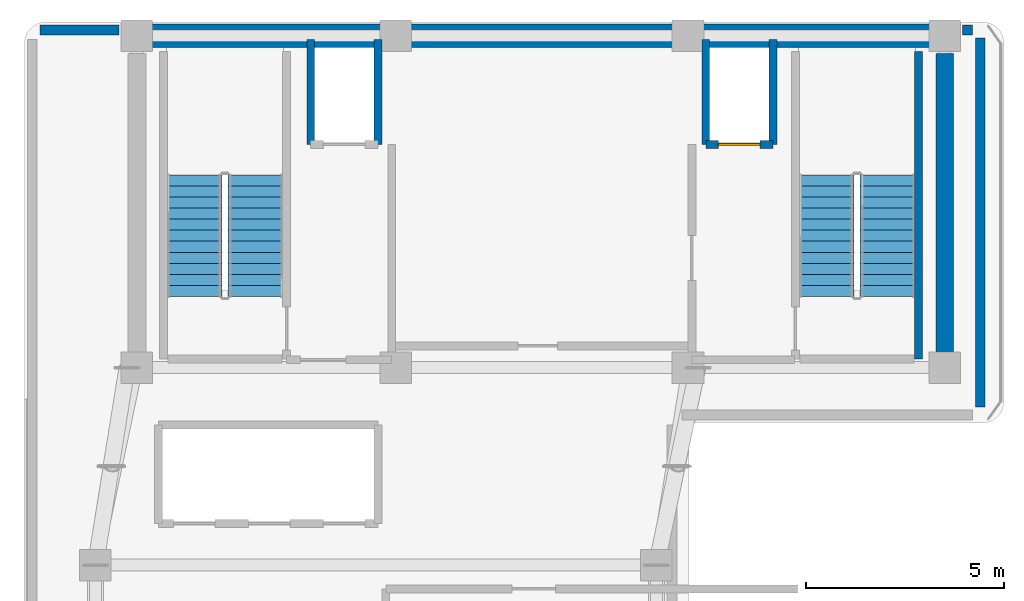
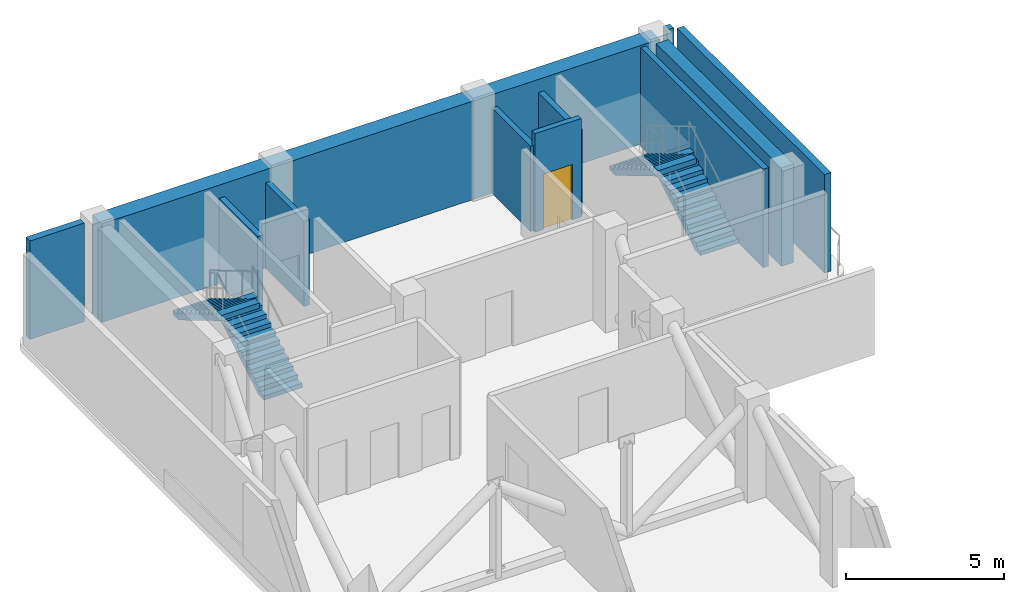
# One storey, part 3 of 5: 11 walls, 4 stair flights, 1 door, 1 opening, 2 elements without a shape of their own.
"""IFC4 building model written with IfcOpenShell, lengths in metres."""

from ifc_helpers import new_model, si_unit, direction, frame, frame_2d, origin, place, context, subcontext, project, spatial, polyline, rectangle, outline, extrude, material, layer, layer_set, type_object, element, fill, aggregate, save


model = new_model("IFC4")

# Units and contexts
model_context = context("Model", 3, precision=1e-05, world=origin(), true_north=direction((0.0, 1.0)))
body_context = subcontext(model_context, "Body", "Model", "MODEL_VIEW")
ifc_project = project(units=[si_unit("LENGTHUNIT", "METRE"), si_unit("AREAUNIT", "SQUARE_METRE"), si_unit("VOLUMEUNIT", "CUBIC_METRE"), si_unit("PLANEANGLEUNIT", "RADIAN"), si_unit("MASSUNIT", "GRAM", prefix="KILO")], contexts=[model_context])

# Site, building, storey
site_placement = place(None, origin())
site = spatial("IfcSite", under=ifc_project, at=site_placement, CompositionType="ELEMENT")
building_placement = place(site_placement, origin())
building = spatial("IfcBuilding", under=site, at=building_placement, Name="Kuzgunbayir Cultural Tower", CompositionType="ELEMENT")
storey_placement = place(building_placement, frame((0.0, 0.0, 214.39990234375)))
storey = spatial("IfcBuildingStorey", under=building, at=storey_placement, Name="L63", CompositionType="ELEMENT", Elevation=214.39990234375)

# Walls
ifc_material_1 = material(Name="Concrete C50/60", Category="concrete")
ifc_layer_1 = layer(ifc_material_1, 0.449951171875)
ifc_layer_set_1 = layer_set([ifc_layer_1], Name="Concrete C50/60")
wall_type_1 = type_object("IfcWallType", Name="WAL-CORE-450", PredefinedType="SHEAR", material=ifc_layer_set_1)
wall_1_placement = place(storey_placement, frame((26.89990234375, 33.800048828125, 0.0), z_axis=(0.0, 0.0, 1.0), x_axis=(0.0, 1.0, 0.0)))
element("IfcWall", 1, at=wall_1_placement, inside=storey, type_object=wall_type_1, Name="L63 T1 Core East Shear Wall", PredefinedType="SHEAR", context=body_context, shape_type="SweptSolid", body=[
    extrude(rectangle(XDim=7.949951171875, YDim=0.449951171875, at=frame_2d((3.97509765625, 0.0))), origin(), (0.0, 0.0, 1.0), 3.820068359375),
])
ifc_material_2 = material(Name="Concrete C60/75", Category="concrete")
ifc_layer_2 = layer(ifc_material_2, 0.60009765625)
ifc_layer_set_2 = layer_set([ifc_layer_2], Name="Concrete C60/75")
wall_type_2 = type_object("IfcWallType", Name="WAL-CORE-600", PredefinedType="SHEAR", material=ifc_layer_set_2)
wall_2_placement = place(storey_placement, frame((6.449951171875, 42.199951171875, 0.0), z_axis=(0.0, 0.0, 1.0), x_axis=(1.0, 0.0, 0.0)))
element("IfcWall", 2, at=wall_2_placement, inside=storey, type_object=wall_type_2, Name="L63 T1 Core North Shear Wall", PredefinedType="SHEAR", context=body_context, shape_type="SweptSolid", body=[
    extrude(rectangle(XDim=20.449951171875, YDim=0.60009765625, at=frame_2d((10.22509765625, 0.0))), origin(), (0.0, 0.0, 1.0), 3.820068359375),
])
ifc_material_3 = material(Name="Concrete C40/50", Category="concrete")
ifc_layer_3 = layer(ifc_material_3, 0.25)
ifc_layer_set_3 = layer_set([ifc_layer_3], Name="Concrete C40/50")
wall_type_3 = type_object("IfcWallType", Name="WAL-EXT-PLANT-250", PredefinedType="STANDARD", material=ifc_layer_set_3)
wall_3_placement = place(storey_placement, frame((27.60009765625, 42.35009765625, 0.0), z_axis=(0.0, 0.0, 1.0), x_axis=(-1.0, 0.0, 0.0)))
element("IfcWall", 3, at=wall_3_placement, inside=storey, type_object=wall_type_3, Name="L63 North Wing B Limestone Wall", PredefinedType="STANDARD", context=body_context, shape_type="SweptSolid", body=[
    extrude(rectangle(XDim=0.25, YDim=0.25, at=frame_2d((0.125, 0.0))), origin(), (0.0, 0.0, 1.0), 3.820068359375),
])
wall_4_placement = place(storey_placement, frame((6.0, 42.35009765625, 0.0), z_axis=(0.0, 0.0, 1.0), x_axis=(-1.0, 0.0, 0.0)))
element("IfcWall", 4, at=wall_4_placement, inside=storey, type_object=wall_type_3, Name="L63 Core North-West Spandrel Link", PredefinedType="STANDARD", context=body_context, shape_type="SweptSolid", body=[
    extrude(rectangle(XDim=2.0, YDim=0.25, at=frame_2d((1.0, 0.0))), origin(), (0.0, 0.0, 1.0), 3.820068359375),
])
wall_5_placement = place(storey_placement, frame((27.800048828125, 32.800048828125, 0.0), z_axis=(0.0, 0.0, 1.0), x_axis=(0.0, 1.0, 0.0)))
element("IfcWall", 5, at=wall_5_placement, inside=storey, type_object=wall_type_3, Name="L63 Rear Core East Limestone Wall", PredefinedType="STANDARD", context=body_context, shape_type="SweptSolid", body=[
    extrude(rectangle(XDim=9.349853515625, YDim=0.25, at=frame_2d((4.6748046875, 0.0))), origin(), (0.0, 0.0, 1.0), 3.820068359375),
])

# Wall, opening, door
ifc_layer_4 = layer(ifc_material_3, 0.199951171875)
ifc_layer_set_4 = layer_set([ifc_layer_4], Name="Concrete C40/50")
wall_type_4 = type_object("IfcWallType", Name="WAL-SHAFT-200", PredefinedType="MOVABLE", material=ifc_layer_set_4)
wall_6_placement = place(storey_placement, frame((20.85009765625, 39.449951171875, 0.0), z_axis=(0.0, 0.0, 1.0), x_axis=(1.0, 0.0, 0.0)))
wall_6 = element("IfcWall", 6, at=wall_6_placement, inside=storey, type_object=wall_type_4, Name="L63 FFL-2 Lift Front Wall", PredefinedType="MOVABLE", context=body_context, shape_type="SweptSolid", body=[
    extrude(rectangle(XDim=1.699951171875, YDim=0.199951171875, at=frame_2d((0.85009765625, 0.0))), origin(), (0.0, 0.0, 1.0), 3.820068359375),
])
opening_placement = place(wall_6_placement, frame((0.320068359375, 0.0, 0.0)))
opening = element("IfcOpeningElement", 7, at=opening_placement, cuts=wall_6, Name="Opening LD", PredefinedType="OPENING", context=body_context, shape_type="SweptSolid", body=[
    extrude(rectangle(XDim=1.050048828125, YDim=2.14990234375, at=frame_2d((0.52490234375, 1.074951171875))), frame((0.0, 0.10986328125, 0.0), z_axis=(0.0, -1.0, 0.0), x_axis=(1.0, 0.0, 0.0)), (0.0, 0.0, 1.0), 0.219970703125),
])
ifc_material_4 = material(Name="Brushed Stainless Steel", Category="steel")
door_type = type_object("IfcDoorType", Name="DR-LIFT-LANDING", OperationType="SLIDING_TO_LEFT", PredefinedType="DOOR", material=ifc_material_4)
door_placement = place(opening_placement, origin())
door = element("IfcDoor", 8, at=door_placement, inside=storey, type_object=door_type, Name="L63 Lift FFL-2 Landing Door", OperationType="SLIDING_TO_LEFT", OverallHeight=2.14990234375, OverallWidth=1.050048828125, PredefinedType="DOOR", context=body_context, shape_type="SweptSolid", body=[
    extrude(rectangle(XDim=1.050048828125, YDim=2.14990234375, at=frame_2d((0.52490234375, 1.074951171875))), frame((0.0, 0.02490234375, 0.0), z_axis=(0.0, -1.0, 0.0), x_axis=(1.0, 0.0, 0.0)), (0.0, 0.0, 1.0), 0.050048828125),
])
fill(opening, door)

# Walls
for number, where, z_axis, x_axis, name in (
    (9, (10.85009765625, 39.449951171875, 0.0), (0.0, 0.0, 1.0), (0.0, 1.0, 0.0), "L63 FFL-1 Shaft West Wall"),
    (10, (12.550048828125, 39.449951171875, 0.0), (0.0, 0.0, 1.0), (0.0, 1.0, 0.0), "L63 FFL-1 Shaft East Wall"),
    (11, (20.85009765625, 39.449951171875, 0.0), (0.0, 0.0, 1.0), (0.0, 1.0, 0.0), "L63 FFL-2 Shaft West Wall"),
    (12, (22.550048828125, 39.449951171875, 0.0), (0.0, 0.0, 1.0), (0.0, 1.0, 0.0), "L63 FFL-2 Shaft East Wall"),
):
    element("IfcWall", number, at=place(storey_placement, frame(where, z_axis=z_axis, x_axis=x_axis)), inside=storey, type_object=wall_type_4, Name=name, PredefinedType="MOVABLE", context=body_context, shape_type="SweptSolid", body=[
        extrude(rectangle(XDim=2.650146484375, YDim=0.199951171875, at=frame_2d((1.3251953125, 0.0))), origin(), (0.0, 0.0, 1.0), 3.31005859375),
    ])
ifc_layer_5 = layer(ifc_material_3, 0.199951171875)
ifc_layer_set_5 = layer_set([ifc_layer_5], Name="Concrete C40/50")
wall_type_5 = type_object("IfcWallType", Name="WAL-STAIR-RC-200", PredefinedType="SHEAR", material=ifc_layer_set_5)
wall_7_placement = place(storey_placement, frame((26.239990234375, 34.02001953125, 0.0), z_axis=(0.0, 0.0, 1.0), x_axis=(0.0, 1.0, 0.0)))
element("IfcWall", 13, at=wall_7_placement, inside=storey, type_object=wall_type_5, Name="L63 Stair ST-2 East Structural Wall", PredefinedType="SHEAR", context=body_context, shape_type="SweptSolid", body=[
    extrude(rectangle(XDim=7.780029296875, YDim=0.199951171875, at=frame_2d((3.89013671875, 0.0))), origin(), (0.0, 0.0, 1.0), 3.820068359375),
])

# Stair, stair flights
stair_type = type_object("IfcStairType", Name="STR-EXIT-CORE", PredefinedType="HALF_TURN_STAIR", material=ifc_material_3)
stair_1_placement = place(storey_placement, origin())
stair_1 = element("IfcStair", 14, at=stair_1_placement, inside=storey, type_object=stair_type, Name="L63 ST-1", PredefinedType="HALF_TURN_STAIR")
stair_flight_type = type_object("IfcStairFlightType", Name="STRF-RC-140", PredefinedType="STRAIGHT", material=ifc_material_3)
stair_flight_1_placement = place(storey_placement, frame((9.4599609375, 35.60009765625, 0.0), z_axis=(0.0, 0.0, 1.0), x_axis=(0.0, 1.0, 0.0)))
stair_flight_1 = element("IfcStairFlight", 15, at=stair_flight_1_placement, type_object=stair_flight_type, Name="ST-1 flight 1", NumberOfRisers=12, NumberOfTreads=11, PredefinedType="STRAIGHT", RiserHeight=0.166666667, TreadLength=0.28, context=body_context, shape_type="SweptSolid", body=[
    extrude(outline(polyline([(0.0, 0.0), (0.0, 0.166748046875), (0.280029296875, 0.166748046875), (0.280029296875, 0.333251953125), (0.56005859375, 0.333251953125), (0.56005859375, 0.5), (0.840087890625, 0.5), (0.840087890625, 0.666748046875), (1.1201171875, 0.666748046875), (1.1201171875, 0.833251953125), (1.39990234375, 0.833251953125), (1.39990234375, 1.0), (1.679931640625, 1.0), (1.679931640625, 1.166748046875), (1.9599609375, 1.166748046875), (1.9599609375, 1.333251953125), (2.239990234375, 1.333251953125), (2.239990234375, 1.5), (2.52001953125, 1.5), (2.52001953125, 1.666748046875), (2.800048828125, 1.666748046875), (2.800048828125, 1.833251953125), (3.080078125, 1.833251953125), (3.080078125, 2.0), (3.080078125, 1.6240234375), (0.351806640625, 0.0), (0.0, 0.0)])), frame((0.0, 0.699951171875, 0.0), z_axis=(0.0, -1.0, 0.0), x_axis=(1.0, 0.0, 0.0)), (0.0, 0.0, 1.0), 1.39990234375),
])
stair_flight_2_placement = place(storey_placement, frame((7.89990234375, 38.679931640625, 2.0), z_axis=(0.0, 0.0, 1.0), x_axis=(0.0, -1.0, 0.0)))
stair_flight_2 = element("IfcStairFlight", 16, at=stair_flight_2_placement, type_object=stair_flight_type, Name="ST-1 flight 2", NumberOfRisers=12, NumberOfTreads=11, PredefinedType="STRAIGHT", RiserHeight=0.166666667, TreadLength=0.28, context=body_context, shape_type="SweptSolid", body=[
    extrude(outline(polyline([(0.0, 0.0), (0.0, 0.166748046875), (0.280029296875, 0.166748046875), (0.280029296875, 0.333251953125), (0.56005859375, 0.333251953125), (0.56005859375, 0.5), (0.840087890625, 0.5), (0.840087890625, 0.666748046875), (1.1201171875, 0.666748046875), (1.1201171875, 0.833251953125), (1.39990234375, 0.833251953125), (1.39990234375, 1.0), (1.679931640625, 1.0), (1.679931640625, 1.166748046875), (1.9599609375, 1.166748046875), (1.9599609375, 1.333251953125), (2.239990234375, 1.333251953125), (2.239990234375, 1.5), (2.52001953125, 1.5), (2.52001953125, 1.666748046875), (2.800048828125, 1.666748046875), (2.800048828125, 1.833251953125), (3.080078125, 1.833251953125), (3.080078125, 2.0), (3.080078125, 1.6240234375), (0.351806640625, 0.0), (0.0, 0.0)])), frame((0.0, 0.699951171875, 0.0), z_axis=(0.0, -1.0, 0.0), x_axis=(1.0, 0.0, 0.0)), (0.0, 0.0, 1.0), 1.39990234375),
])
aggregate(stair_1, [stair_flight_1, stair_flight_2])

stair_2_placement = place(storey_placement, origin())
stair_2 = element("IfcStair", 17, at=stair_2_placement, inside=storey, type_object=stair_type, Name="L63 ST-2", PredefinedType="HALF_TURN_STAIR")
stair_flight_3_placement = place(storey_placement, frame((25.4599609375, 35.60009765625, 0.0), z_axis=(0.0, 0.0, 1.0), x_axis=(0.0, 1.0, 0.0)))
stair_flight_3 = element("IfcStairFlight", 18, at=stair_flight_3_placement, type_object=stair_flight_type, Name="ST-2 flight 1", NumberOfRisers=12, NumberOfTreads=11, PredefinedType="STRAIGHT", RiserHeight=0.166666667, TreadLength=0.28, context=body_context, shape_type="SweptSolid", body=[
    extrude(outline(polyline([(0.0, 0.0), (0.0, 0.166748046875), (0.280029296875, 0.166748046875), (0.280029296875, 0.333251953125), (0.56005859375, 0.333251953125), (0.56005859375, 0.5), (0.840087890625, 0.5), (0.840087890625, 0.666748046875), (1.1201171875, 0.666748046875), (1.1201171875, 0.833251953125), (1.39990234375, 0.833251953125), (1.39990234375, 1.0), (1.679931640625, 1.0), (1.679931640625, 1.166748046875), (1.9599609375, 1.166748046875), (1.9599609375, 1.333251953125), (2.239990234375, 1.333251953125), (2.239990234375, 1.5), (2.52001953125, 1.5), (2.52001953125, 1.666748046875), (2.800048828125, 1.666748046875), (2.800048828125, 1.833251953125), (3.080078125, 1.833251953125), (3.080078125, 2.0), (3.080078125, 1.6240234375), (0.351806640625, 0.0), (0.0, 0.0)])), frame((0.0, 0.699951171875, 0.0), z_axis=(0.0, -1.0, 0.0), x_axis=(1.0, 0.0, 0.0)), (0.0, 0.0, 1.0), 1.39990234375),
])
stair_flight_4_placement = place(storey_placement, frame((23.89990234375, 38.679931640625, 2.0), z_axis=(0.0, 0.0, 1.0), x_axis=(0.0, -1.0, 0.0)))
stair_flight_4 = element("IfcStairFlight", 19, at=stair_flight_4_placement, type_object=stair_flight_type, Name="ST-2 flight 2", NumberOfRisers=12, NumberOfTreads=11, PredefinedType="STRAIGHT", RiserHeight=0.166666667, TreadLength=0.28, context=body_context, shape_type="SweptSolid", body=[
    extrude(outline(polyline([(0.0, 0.0), (0.0, 0.166748046875), (0.280029296875, 0.166748046875), (0.280029296875, 0.333251953125), (0.56005859375, 0.333251953125), (0.56005859375, 0.5), (0.840087890625, 0.5), (0.840087890625, 0.666748046875), (1.1201171875, 0.666748046875), (1.1201171875, 0.833251953125), (1.39990234375, 0.833251953125), (1.39990234375, 1.0), (1.679931640625, 1.0), (1.679931640625, 1.166748046875), (1.9599609375, 1.166748046875), (1.9599609375, 1.333251953125), (2.239990234375, 1.333251953125), (2.239990234375, 1.5), (2.52001953125, 1.5), (2.52001953125, 1.666748046875), (2.800048828125, 1.666748046875), (2.800048828125, 1.833251953125), (3.080078125, 1.833251953125), (3.080078125, 2.0), (3.080078125, 1.6240234375), (0.351806640625, 0.0), (0.0, 0.0)])), frame((0.0, 0.699951171875, 0.0), z_axis=(0.0, -1.0, 0.0), x_axis=(1.0, 0.0, 0.0)), (0.0, 0.0, 1.0), 1.39990234375),
])
aggregate(stair_2, [stair_flight_3, stair_flight_4])

save(model, "model.ifc")
